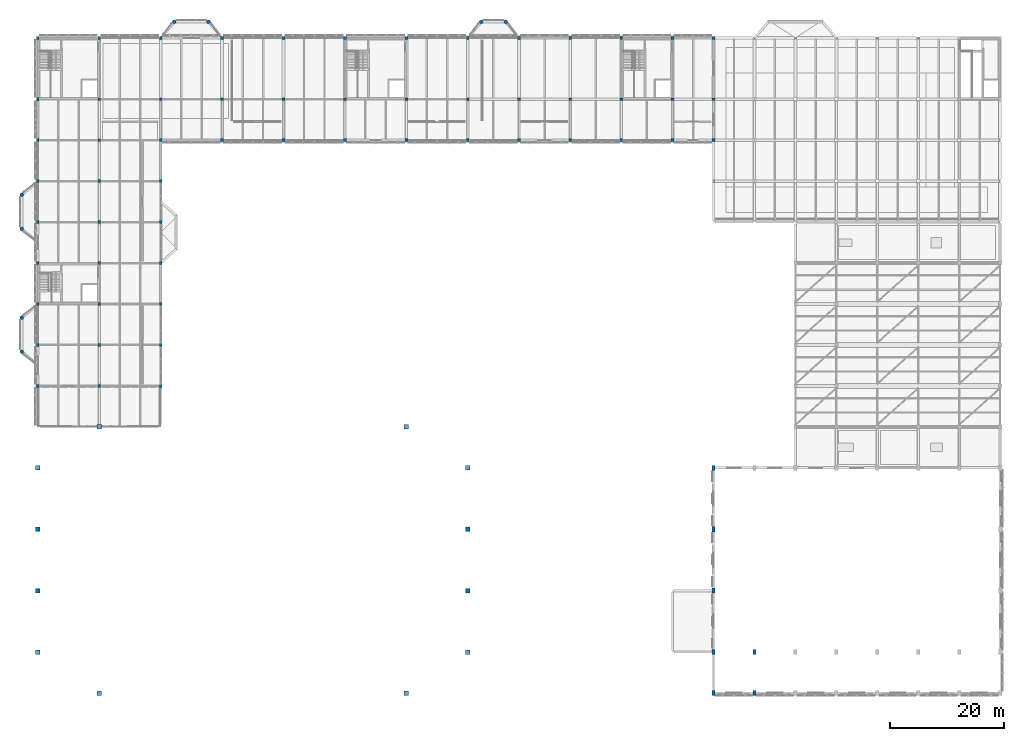
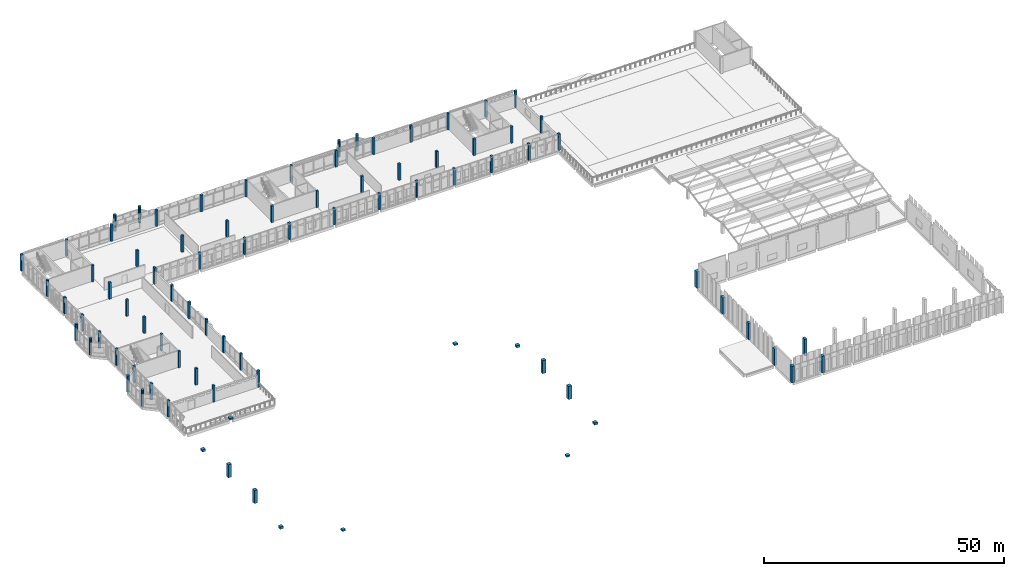
# One storey, part 1 of 72: 84 columns.
"""IFC4 building model written with IfcOpenShell, lengths in metres."""

from ifc_helpers import new_model, si_unit, direction, frame, origin, origin_2d, place, context, subcontext, project, spatial, rectangle, circle, extrude, material, material_profile, profile_set, type_object, element, save


model = new_model("IFC4")

# Units and contexts
model_context = context("Model", 3, precision=1e-05, world=origin(), true_north=direction((0.0, 1.0)))
body_context = subcontext(model_context, "Body", "Model", "MODEL_VIEW")
ifc_project = project(units=[si_unit("LENGTHUNIT", "METRE"), si_unit("AREAUNIT", "SQUARE_METRE"), si_unit("VOLUMEUNIT", "CUBIC_METRE"), si_unit("PLANEANGLEUNIT", "RADIAN"), si_unit("MASSUNIT", "GRAM", prefix="KILO")], contexts=[model_context])

# Site, building, storey
site_placement = place(None, origin())
site = spatial("IfcSite", under=ifc_project, at=site_placement, CompositionType="ELEMENT")
building_placement = place(site_placement, origin())
building = spatial("IfcBuilding", under=site, at=building_placement, Name="Lusvemor Sports Hall", CompositionType="ELEMENT")
storey_placement = place(building_placement, frame((0.0, 0.0, 15.0)))
storey = spatial("IfcBuildingStorey", under=building, at=storey_placement, Name="L03", CompositionType="ELEMENT", Elevation=15.0)

# Columns
ifc_material_1 = material(Name="Concrete C40/50", Category="concrete")
ifc_material_profile_1 = material_profile(ifc_material_1, circle(Radius=0.324951171875, at=origin_2d()), Name="RCCIRC650")
ifc_profile_set_1 = profile_set([ifc_material_profile_1], Name="Concrete C40/50")
column_type_1 = type_object("IfcColumnType", Name="COL_COLONNADE", PredefinedType="COLUMN", material=ifc_profile_set_1)
for number, where, z_axis, x_axis, name in (
    (1, (-2.800048828125, 60.0, 0.0), (0.0, 0.0, 1.0), (1.0, 0.0, 0.0), "Art Nouveau Bow Column BOW-W1-1 (L03)"),
    (2, (-2.800048828125, 66.0, 0.0), (0.0, 0.0, 1.0), (1.0, 0.0, 0.0), "Art Nouveau Bow Column BOW-W1-2 (L03)"),
    (3, (-2.800048828125, 81.60009765625, 0.0), (0.0, 0.0, 1.0), (1.0, 0.0, 0.0), "Art Nouveau Bow Column BOW-W2-1 (L03)"),
    (4, (-2.800048828125, 87.60009765625, 0.0), (0.0, 0.0, 1.0), (1.0, 0.0, 0.0), "Art Nouveau Bow Column BOW-W2-2 (L03)"),
    (5, (24.0, 118.0, 0.0), (0.0, 0.0, 1.0), (1.0, 0.0, 0.0), "Art Nouveau Bow Column BOW-N1-1 (L03)"),
    (6, (30.0, 118.0, 0.0), (0.0, 0.0, 1.0), (1.0, 0.0, 0.0), "Art Nouveau Bow Column BOW-N1-2 (L03)"),
    (7, (77.93994140625, 118.0, 0.0), (0.0, 0.0, 1.0), (1.0, 0.0, 0.0), "Art Nouveau Bow Column BOW-N2-1 (L03)"),
    (8, (82.260009765625, 118.0, 0.0), (0.0, 0.0, 1.0), (1.0, 0.0, 0.0), "Art Nouveau Bow Column BOW-N2-2 (L03)"),
):
    element("IfcColumn", number, at=place(storey_placement, frame(where, z_axis=z_axis, x_axis=x_axis)), inside=storey, type_object=column_type_1, Name=name, PredefinedType="COLUMN", context=body_context, shape_type="SweptSolid", body=[
        extrude(circle(Radius=0.324951171875, at=origin_2d()), origin(), (0.0, 0.0, 1.0), 4.199951171875),
    ])
ifc_material_2 = material(Name="Concrete C40/50", Category="concrete")
ifc_material_profile_2 = material_profile(ifc_material_2, rectangle(XDim=0.800048828125, YDim=0.800048828125, at=origin_2d()), Name="RC800x800")
ifc_profile_set_2 = profile_set([ifc_material_profile_2], Name="Concrete C40/50")
column_type_2 = type_object("IfcColumnType", Name="COL_HALL_W", PredefinedType="COLUMN", material=ifc_profile_set_2)
column_1_placement = place(storey_placement, frame((0.0, 7.199951171875, 0.0), z_axis=(0.0, 0.0, 1.0), x_axis=(1.0, 0.0, 0.0)))
element("IfcColumn", 9, at=column_1_placement, inside=storey, type_object=column_type_2, Name="Column 1/B (L03)", PredefinedType="COLUMN", context=body_context, shape_type="SweptSolid", body=[
    extrude(rectangle(XDim=0.800048828125, YDim=0.800048828125, at=origin_2d()), origin(), (0.0, 0.0, 1.0), 0.578125),
])
for number, where, z_axis, x_axis, name in (
    (10, (0.0, 18.0, 0.0), (0.0, 0.0, 1.0), (1.0, 0.0, 0.0), "Column 1/C (L03)"),
    (11, (0.0, 28.800048828125, 0.0), (0.0, 0.0, 1.0), (1.0, 0.0, 0.0), "Column 1/D (L03)"),
):
    element("IfcColumn", number, at=place(storey_placement, frame(where, z_axis=z_axis, x_axis=x_axis)), inside=storey, type_object=column_type_2, Name=name, PredefinedType="COLUMN", context=body_context, shape_type="SweptSolid", body=[
        extrude(rectangle(XDim=0.800048828125, YDim=0.800048828125, at=origin_2d()), origin(), (0.0, 0.0, 1.0), 3.317626953125),
    ])
column_2_placement = place(storey_placement, frame((0.0, 39.60009765625, 0.0), z_axis=(0.0, 0.0, 1.0), x_axis=(1.0, 0.0, 0.0)))
element("IfcColumn", 12, at=column_2_placement, inside=storey, type_object=column_type_2, Name="Column 1/E (L03)", PredefinedType="COLUMN", context=body_context, shape_type="SweptSolid", body=[
    extrude(rectangle(XDim=0.800048828125, YDim=0.800048828125, at=origin_2d()), origin(), (0.0, 0.0, 1.0), 0.578125),
])
for number, where, z_axis, x_axis, name in (
    (13, (10.800048828125, 0.0, 0.0), (0.0, 0.0, 1.0), (1.0, 0.0, 0.0), "Column 2/A (L03)"),
    (14, (10.800048828125, 46.800048828125, 0.0), (0.0, 0.0, 1.0), (1.0, 0.0, 0.0), "Column 2/F (L03)"),
    (15, (64.800048828125, 0.0, 0.0), (0.0, 0.0, 1.0), (1.0, 0.0, 0.0), "Column 7/A (L03)"),
    (16, (64.800048828125, 46.800048828125, 0.0), (0.0, 0.0, 1.0), (1.0, 0.0, 0.0), "Column 7/F (L03)"),
):
    element("IfcColumn", number, at=place(storey_placement, frame(where, z_axis=z_axis, x_axis=x_axis)), inside=storey, type_object=column_type_2, Name=name, PredefinedType="COLUMN", context=body_context, shape_type="SweptSolid", body=[
        extrude(rectangle(XDim=0.800048828125, YDim=0.800048828125, at=origin_2d()), origin(), (0.0, 0.0, 1.0), 0.385498046875),
    ])
column_3_placement = place(storey_placement, frame((75.60009765625, 7.199951171875, 0.0), z_axis=(0.0, 0.0, 1.0), x_axis=(1.0, 0.0, 0.0)))
element("IfcColumn", 17, at=column_3_placement, inside=storey, type_object=column_type_2, Name="Column 8/B (L03)", PredefinedType="COLUMN", context=body_context, shape_type="SweptSolid", body=[
    extrude(rectangle(XDim=0.800048828125, YDim=0.800048828125, at=origin_2d()), origin(), (0.0, 0.0, 1.0), 0.578125),
])
for number, where, z_axis, x_axis, name in (
    (18, (75.60009765625, 18.0, 0.0), (0.0, 0.0, 1.0), (1.0, 0.0, 0.0), "Column 8/C (L03)"),
    (19, (75.60009765625, 28.800048828125, 0.0), (0.0, 0.0, 1.0), (1.0, 0.0, 0.0), "Column 8/D (L03)"),
):
    element("IfcColumn", number, at=place(storey_placement, frame(where, z_axis=z_axis, x_axis=x_axis)), inside=storey, type_object=column_type_2, Name=name, PredefinedType="COLUMN", context=body_context, shape_type="SweptSolid", body=[
        extrude(rectangle(XDim=0.800048828125, YDim=0.800048828125, at=origin_2d()), origin(), (0.0, 0.0, 1.0), 3.317626953125),
    ])
column_4_placement = place(storey_placement, frame((75.60009765625, 39.60009765625, 0.0), z_axis=(0.0, 0.0, 1.0), x_axis=(1.0, 0.0, 0.0)))
element("IfcColumn", 20, at=column_4_placement, inside=storey, type_object=column_type_2, Name="Column 8/E (L03)", PredefinedType="COLUMN", context=body_context, shape_type="SweptSolid", body=[
    extrude(rectangle(XDim=0.800048828125, YDim=0.800048828125, at=origin_2d()), origin(), (0.0, 0.0, 1.0), 0.578125),
])
ifc_material_3 = material(Name="Concrete C40/50", Category="concrete")
ifc_material_profile_3 = material_profile(ifc_material_3, rectangle(XDim=0.60009765625, YDim=0.89990234375, at=origin_2d()), Name="RC600x900")
ifc_profile_set_3 = profile_set([ifc_material_profile_3], Name="Concrete C40/50")
column_type_3 = type_object("IfcColumnType", Name="COL_STACK_E", PredefinedType="COLUMN", material=ifc_profile_set_3)
for number, where, z_axis, x_axis, name in (
    (21, (118.800048828125, 0.0, 0.0), (0.0, 0.0, 1.0), (1.0, 0.0, 0.0), "Column 13/A (L03)"),
    (22, (118.800048828125, 7.199951171875, 0.0), (0.0, 0.0, 1.0), (1.0, 0.0, 0.0), "Column 13/B (L03)"),
    (23, (118.800048828125, 18.0, 0.0), (0.0, 0.0, 1.0), (1.0, 0.0, 0.0), "Column 13/C (L03)"),
    (24, (118.800048828125, 28.800048828125, 0.0), (0.0, 0.0, 1.0), (1.0, 0.0, 0.0), "Column 13/D (L03)"),
    (25, (118.800048828125, 39.60009765625, 0.0), (0.0, 0.0, 1.0), (1.0, 0.0, 0.0), "Column 13/E (L03)"),
    (26, (126.0, 0.0, 0.0), (0.0, 0.0, 1.0), (1.0, 0.0, 0.0), "Column 14/A (L03)"),
    (27, (126.0, 7.199951171875, 0.0), (0.0, 0.0, 1.0), (1.0, 0.0, 0.0), "Column 14/B (L03)"),
):
    element("IfcColumn", number, at=place(storey_placement, frame(where, z_axis=z_axis, x_axis=x_axis)), inside=storey, type_object=column_type_3, Name=name, PredefinedType="COLUMN", context=body_context, shape_type="SweptSolid", body=[
        extrude(rectangle(XDim=0.60009765625, YDim=0.89990234375, at=origin_2d()), origin(), (0.0, 0.0, 1.0), 4.199951171875),
    ])
ifc_material_4 = material(Name="Concrete C40/50", Category="concrete")
ifc_material_profile_4 = material_profile(ifc_material_4, rectangle(XDim=0.47998046875, YDim=0.5400390625, at=origin_2d()), Name="RC480x540")
ifc_profile_set_4 = profile_set([ifc_material_profile_4], Name="Concrete C40/50")
column_type_4 = type_object("IfcColumnType", Name="COL_UPPER_E", PredefinedType="COLUMN", material=ifc_profile_set_4)
for number, where, z_axis, x_axis, name in (
    (28, (0.0, 54.0, 0.0), (0.0, 0.0, 1.0), (1.0, 0.0, 0.0), "Column 1/G (L03)"),
    (29, (0.0, 61.199951171875, 0.0), (0.0, 0.0, 1.0), (1.0, 0.0, 0.0), "Column 1/H (L03)"),
    (30, (0.0, 68.39990234375, 0.0), (0.0, 0.0, 1.0), (1.0, 0.0, 0.0), "Column 1/J (L03)"),
    (31, (0.0, 75.60009765625, 0.0), (0.0, 0.0, 1.0), (1.0, 0.0, 0.0), "Column 1/K (L03)"),
    (32, (0.0, 82.800048828125, 0.0), (0.0, 0.0, 1.0), (1.0, 0.0, 0.0), "Column 1/L (L03)"),
    (33, (0.0, 90.0, 0.0), (0.0, 0.0, 1.0), (1.0, 0.0, 0.0), "Column 1/M (L03)"),
    (34, (0.0, 97.199951171875, 0.0), (0.0, 0.0, 1.0), (1.0, 0.0, 0.0), "Column 1/N (L03)"),
    (35, (0.0, 104.39990234375, 0.0), (0.0, 0.0, 1.0), (1.0, 0.0, 0.0), "Column 1/P (L03)"),
    (36, (0.0, 115.199951171875, 0.0), (0.0, 0.0, 1.0), (1.0, 0.0, 0.0), "Column 1/Q (L03)"),
    (37, (10.800048828125, 115.199951171875, 0.0), (0.0, 0.0, 1.0), (1.0, 0.0, 0.0), "Column 2/Q (L03)"),
    (38, (21.60009765625, 54.0, 0.0), (0.0, 0.0, 1.0), (1.0, 0.0, 0.0), "Column 3/G (L03)"),
    (39, (21.60009765625, 61.199951171875, 0.0), (0.0, 0.0, 1.0), (1.0, 0.0, 0.0), "Column 3/H (L03)"),
    (40, (21.60009765625, 68.39990234375, 0.0), (0.0, 0.0, 1.0), (1.0, 0.0, 0.0), "Column 3/J (L03)"),
    (41, (21.60009765625, 75.60009765625, 0.0), (0.0, 0.0, 1.0), (1.0, 0.0, 0.0), "Column 3/K (L03)"),
    (42, (21.60009765625, 82.800048828125, 0.0), (0.0, 0.0, 1.0), (1.0, 0.0, 0.0), "Column 3/L (L03)"),
    (43, (21.60009765625, 90.0, 0.0), (0.0, 0.0, 1.0), (1.0, 0.0, 0.0), "Column 3/M (L03)"),
    (44, (21.60009765625, 97.199951171875, 0.0), (0.0, 0.0, 1.0), (1.0, 0.0, 0.0), "Column 3/N (L03)"),
    (45, (21.60009765625, 115.199951171875, 0.0), (0.0, 0.0, 1.0), (1.0, 0.0, 0.0), "Column 3/Q (L03)"),
    (46, (32.39990234375, 97.199951171875, 0.0), (0.0, 0.0, 1.0), (1.0, 0.0, 0.0), "Column 4/N (L03)"),
    (47, (32.39990234375, 115.199951171875, 0.0), (0.0, 0.0, 1.0), (1.0, 0.0, 0.0), "Column 4/Q (L03)"),
    (48, (43.199951171875, 97.199951171875, 0.0), (0.0, 0.0, 1.0), (1.0, 0.0, 0.0), "Column 5/N (L03)"),
    (49, (43.199951171875, 115.199951171875, 0.0), (0.0, 0.0, 1.0), (1.0, 0.0, 0.0), "Column 5/Q (L03)"),
    (50, (54.0, 97.199951171875, 0.0), (0.0, 0.0, 1.0), (1.0, 0.0, 0.0), "Column 6/N (L03)"),
    (51, (54.0, 115.199951171875, 0.0), (0.0, 0.0, 1.0), (1.0, 0.0, 0.0), "Column 6/Q (L03)"),
    (52, (64.800048828125, 97.199951171875, 0.0), (0.0, 0.0, 1.0), (1.0, 0.0, 0.0), "Column 7/N (L03)"),
    (53, (64.800048828125, 115.199951171875, 0.0), (0.0, 0.0, 1.0), (1.0, 0.0, 0.0), "Column 7/Q (L03)"),
    (54, (75.60009765625, 97.199951171875, 0.0), (0.0, 0.0, 1.0), (1.0, 0.0, 0.0), "Column 8/N (L03)"),
    (55, (75.60009765625, 115.199951171875, 0.0), (0.0, 0.0, 1.0), (1.0, 0.0, 0.0), "Column 8/Q (L03)"),
    (56, (84.60009765625, 97.199951171875, 0.0), (0.0, 0.0, 1.0), (1.0, 0.0, 0.0), "Column 9/N (L03)"),
    (57, (84.60009765625, 115.199951171875, 0.0), (0.0, 0.0, 1.0), (1.0, 0.0, 0.0), "Column 9/Q (L03)"),
    (58, (93.60009765625, 97.199951171875, 0.0), (0.0, 0.0, 1.0), (1.0, 0.0, 0.0), "Column 10/N (L03)"),
    (59, (93.60009765625, 115.199951171875, 0.0), (0.0, 0.0, 1.0), (1.0, 0.0, 0.0), "Column 10/Q (L03)"),
    (60, (102.60009765625, 97.199951171875, 0.0), (0.0, 0.0, 1.0), (1.0, 0.0, 0.0), "Column 11/N (L03)"),
    (61, (102.60009765625, 115.199951171875, 0.0), (0.0, 0.0, 1.0), (1.0, 0.0, 0.0), "Column 11/Q (L03)"),
    (62, (111.60009765625, 97.199951171875, 0.0), (0.0, 0.0, 1.0), (1.0, 0.0, 0.0), "Column 12/N (L03)"),
    (63, (111.60009765625, 115.199951171875, 0.0), (0.0, 0.0, 1.0), (1.0, 0.0, 0.0), "Column 12/Q (L03)"),
    (64, (118.800048828125, 97.199951171875, 0.0), (0.0, 0.0, 1.0), (1.0, 0.0, 0.0), "Column 13/N (L03)"),
    (65, (118.800048828125, 115.199951171875, 0.0), (0.0, 0.0, 1.0), (1.0, 0.0, 0.0), "Column 13/Q (L03)"),
):
    element("IfcColumn", number, at=place(storey_placement, frame(where, z_axis=z_axis, x_axis=x_axis)), inside=storey, type_object=column_type_4, Name=name, PredefinedType="COLUMN", context=body_context, shape_type="SweptSolid", body=[
        extrude(rectangle(XDim=0.47998046875, YDim=0.5400390625, at=origin_2d()), origin(), (0.0, 0.0, 1.0), 4.199951171875),
    ])
ifc_material_5 = material(Name="Concrete C40/50", Category="concrete")
ifc_material_profile_5 = material_profile(ifc_material_5, rectangle(XDim=0.5, YDim=0.5, at=origin_2d()), Name="RC500x500")
ifc_profile_set_5 = profile_set([ifc_material_profile_5], Name="Concrete C40/50")
column_type_5 = type_object("IfcColumnType", Name="COL_UPPER_I", PredefinedType="COLUMN", material=ifc_profile_set_5)
for number, where, z_axis, x_axis, name in (
    (66, (10.800048828125, 54.0, 0.0), (0.0, 0.0, 1.0), (1.0, 0.0, 0.0), "Column 2/G (L03)"),
    (67, (10.800048828125, 61.199951171875, 0.0), (0.0, 0.0, 1.0), (1.0, 0.0, 0.0), "Column 2/H (L03)"),
    (68, (10.800048828125, 68.39990234375, 0.0), (0.0, 0.0, 1.0), (1.0, 0.0, 0.0), "Column 2/J (L03)"),
    (69, (10.800048828125, 75.60009765625, 0.0), (0.0, 0.0, 1.0), (1.0, 0.0, 0.0), "Column 2/K (L03)"),
    (70, (10.800048828125, 82.800048828125, 0.0), (0.0, 0.0, 1.0), (1.0, 0.0, 0.0), "Column 2/L (L03)"),
    (71, (10.800048828125, 90.0, 0.0), (0.0, 0.0, 1.0), (1.0, 0.0, 0.0), "Column 2/M (L03)"),
    (72, (10.800048828125, 97.199951171875, 0.0), (0.0, 0.0, 1.0), (1.0, 0.0, 0.0), "Column 2/N (L03)"),
    (73, (10.800048828125, 104.39990234375, 0.0), (0.0, 0.0, 1.0), (1.0, 0.0, 0.0), "Column 2/P (L03)"),
    (74, (21.60009765625, 104.39990234375, 0.0), (0.0, 0.0, 1.0), (1.0, 0.0, 0.0), "Column 3/P (L03)"),
    (75, (32.39990234375, 104.39990234375, 0.0), (0.0, 0.0, 1.0), (1.0, 0.0, 0.0), "Column 4/P (L03)"),
    (76, (43.199951171875, 104.39990234375, 0.0), (0.0, 0.0, 1.0), (1.0, 0.0, 0.0), "Column 5/P (L03)"),
    (77, (54.0, 104.39990234375, 0.0), (0.0, 0.0, 1.0), (1.0, 0.0, 0.0), "Column 6/P (L03)"),
    (78, (64.800048828125, 104.39990234375, 0.0), (0.0, 0.0, 1.0), (1.0, 0.0, 0.0), "Column 7/P (L03)"),
    (79, (75.60009765625, 104.39990234375, 0.0), (0.0, 0.0, 1.0), (1.0, 0.0, 0.0), "Column 8/P (L03)"),
    (80, (84.60009765625, 104.39990234375, 0.0), (0.0, 0.0, 1.0), (1.0, 0.0, 0.0), "Column 9/P (L03)"),
    (81, (93.60009765625, 104.39990234375, 0.0), (0.0, 0.0, 1.0), (1.0, 0.0, 0.0), "Column 10/P (L03)"),
    (82, (102.60009765625, 104.39990234375, 0.0), (0.0, 0.0, 1.0), (1.0, 0.0, 0.0), "Column 11/P (L03)"),
    (83, (111.60009765625, 104.39990234375, 0.0), (0.0, 0.0, 1.0), (1.0, 0.0, 0.0), "Column 12/P (L03)"),
    (84, (118.800048828125, 104.39990234375, 0.0), (0.0, 0.0, 1.0), (1.0, 0.0, 0.0), "Column 13/P (L03)"),
):
    element("IfcColumn", number, at=place(storey_placement, frame(where, z_axis=z_axis, x_axis=x_axis)), inside=storey, type_object=column_type_5, Name=name, PredefinedType="COLUMN", context=body_context, shape_type="SweptSolid", body=[
        extrude(rectangle(XDim=0.5, YDim=0.5, at=origin_2d()), origin(), (0.0, 0.0, 1.0), 4.199951171875),
    ])

save(model, "model.ifc")
